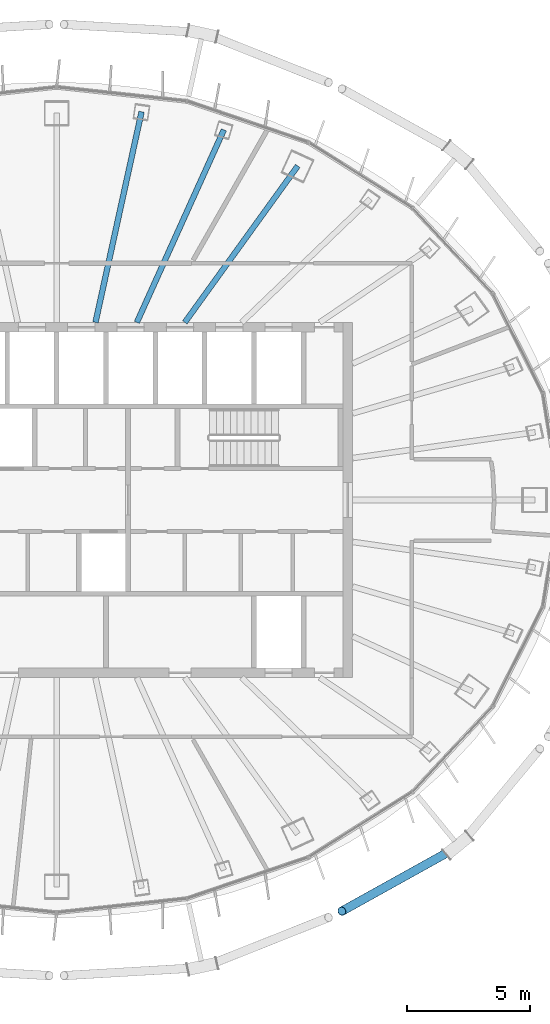
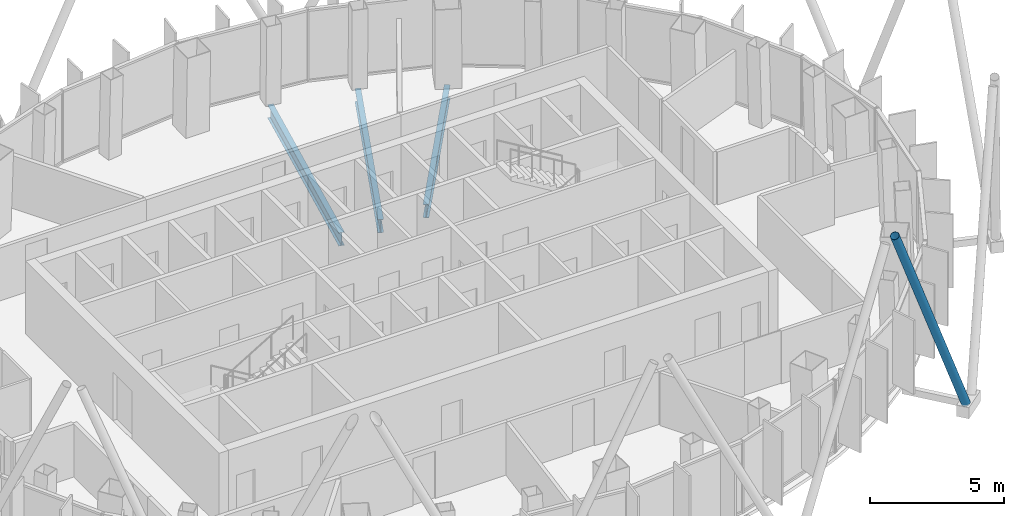
# One storey, part 5 of 18: 3 beams, 1 member.
"""IFC4 building model written with IfcOpenShell, lengths in metres."""

import ifcopenshell
import ifcopenshell.guid

model = None  # the IFC model being written
_history = None  # IfcOwnerHistory: only IFC2X3 demands one
_inside = {}  # id of a spatial element -> (the spatial element, [elements in it])
_under = {}  # id of a project, library or spatial element -> (it, [spatial elements below it])
_declared = {}  # id of a project -> (the project, [libraries it declares])
_typed = {}  # id of a type object -> (the type object, [elements of that type])
_made_of = {}  # id of a material, layer set ... -> (it, [elements and type objects made of it])


def new_model(schema):
    """Start an empty IFC model of exactly this schema.

    Asked for "IFC4X3", IfcOpenShell would pick the latest addendum, in which some entities
    have other attributes; the version numbers below select the first issue.
    IFC2X3 requires an IfcOwnerHistory on every rooted entity: one is made here for all.
    """
    global model, _history
    if schema == "IFC4X3":
        model = ifcopenshell.file(schema_version=(4, 3, 0, 0))
    else:
        model = ifcopenshell.file(schema=schema)
    _inside.clear()
    _under.clear()
    _declared.clear()
    _typed.clear()
    _made_of.clear()
    _history = None
    if model.schema == "IFC2X3":
        org = make("IfcOrganization", Name="unknown")
        user = make(
            "IfcPersonAndOrganization",
            ThePerson=make("IfcPerson", FamilyName="unknown"),
            TheOrganization=org,
        )
        app = make(
            "IfcApplication",
            ApplicationDeveloper=org,
            Version="unknown",
            ApplicationFullName="unknown",
            ApplicationIdentifier="unknown",
        )
        _history = make(
            "IfcOwnerHistory",
            OwningUser=user,
            OwningApplication=app,
            ChangeAction="ADDED",
            CreationDate=0,
        )
    return model


def make(cls, **values):
    """One entity of the class cls with the attributes given. An attribute that is None is left unset."""
    return model.create_entity(
        cls, **{name: value for name, value in values.items() if value is not None}
    )


def rooted(cls, **values):
    """An entity with a GlobalId (a new one), such as an element, a storey or a relation."""
    return make(cls, GlobalId=ifcopenshell.guid.new(), OwnerHistory=_history, **values)


def si_unit(unit_type, name, prefix=None):
    """IfcSIUnit, for example si_unit("LENGTHUNIT", "METRE", prefix="MILLI")."""
    return make("IfcSIUnit", UnitType=unit_type, Prefix=prefix, Name=name)


def assignment(units):
    """IfcUnitAssignment: the units of a project."""
    return None if units is None else make("IfcUnitAssignment", Units=units)


def point(xyz):
    """IfcCartesianPoint."""
    return None if xyz is None else make("IfcCartesianPoint", Coordinates=xyz)


def direction(xyz):
    """IfcDirection."""
    return None if xyz is None else make("IfcDirection", DirectionRatios=xyz)


def frame(location, z_axis=None, x_axis=None):
    """IfcAxis2Placement3D, a coordinate frame: its origin and axes. An axis left out is left unset."""
    return make(
        "IfcAxis2Placement3D",
        Location=point(location),
        Axis=direction(z_axis),
        RefDirection=direction(x_axis),
    )


def frame_2d(location, x_axis=None):
    """IfcAxis2Placement2D, a coordinate frame in the plane: its origin and x axis."""
    return make(
        "IfcAxis2Placement2D", Location=point(location), RefDirection=direction(x_axis)
    )


def origin():
    """The frame at (0, 0, 0) with its axes left unset."""
    return frame((0.0, 0.0, 0.0))


def origin_2d():
    """The frame at (0, 0) in the plane with its x axis left unset."""
    return frame_2d((0.0, 0.0))


def place(relative_to, where):
    """IfcLocalPlacement: puts the frame where relative to a parent placement (None: the world)."""
    return make(
        "IfcLocalPlacement", PlacementRelTo=relative_to, RelativePlacement=where
    )


def context(
    kind, dimensions, precision=None, world=None, true_north=None, identifier=None
):
    """IfcGeometricRepresentationContext, for example the 3D "Model" context."""
    return make(
        "IfcGeometricRepresentationContext",
        ContextIdentifier=identifier,
        ContextType=kind,
        CoordinateSpaceDimension=dimensions,
        Precision=precision,
        WorldCoordinateSystem=world,
        TrueNorth=true_north,
    )


def subcontext(parent, identifier, kind, view, scale=None):
    """IfcGeometricRepresentationSubContext, for example "Body" below "Model"."""
    return make(
        "IfcGeometricRepresentationSubContext",
        ContextIdentifier=identifier,
        ContextType=kind,
        ParentContext=parent,
        TargetScale=scale,
        TargetView=view,
    )


def project(units=None, contexts=None):
    """IfcProject with its units and contexts."""
    return rooted(
        "IfcProject",
        Name="project",
        RepresentationContexts=contexts,
        UnitsInContext=assignment(units),
    )


def spatial(cls, under=None, at=None, **own):
    """A site, building, storey or space (cls), placed at a placement, below another one or the project."""
    s = rooted(cls, ObjectPlacement=at, **own)
    if under is not None:
        _under.setdefault(under.id(), (under, []))[1].append(s)
    return s


def profile(cls, at=None, kind="AREA", **sizes):
    """A parametric profile (cls). Its sizes go by their IFC names, for example OverallWidth=200.0."""
    return make(cls, ProfileType=kind, Position=at, **sizes)


def hollow_circle(**sizes):
    """IfcCircleHollowProfileDef."""
    return profile("IfcCircleHollowProfileDef", **sizes)


def i_section(**sizes):
    """IfcIShapeProfileDef."""
    return profile("IfcIShapeProfileDef", **sizes)


def extrude(swept, where, along, depth):
    """IfcExtrudedAreaSolid: the profile swept, set in the frame where, extruded along a direction by depth."""
    return make(
        "IfcExtrudedAreaSolid",
        SweptArea=swept,
        Position=where,
        ExtrudedDirection=direction(along),
        Depth=depth,
    )


def shape(context_of_items, identifier, shape_type, items):
    """IfcShapeRepresentation: the items that make up one representation, for example the "Body"."""
    return make(
        "IfcShapeRepresentation",
        ContextOfItems=context_of_items,
        RepresentationIdentifier=identifier,
        RepresentationType=shape_type,
        Items=items,
    )


def material(Name=None, Category=None):
    """IfcMaterial."""
    return make("IfcMaterial", Name=Name, Category=Category)


def material_profile(
    of_material, cross_section, Name=None, Category=None, Priority=None
):
    """IfcMaterialProfile: a cross section and its material."""
    return make(
        "IfcMaterialProfile",
        Name=Name,
        Material=of_material,
        Profile=cross_section,
        Priority=Priority,
        Category=Category,
    )


def profile_set(profiles, Name=None, composite=None):
    """IfcMaterialProfileSet."""
    return make(
        "IfcMaterialProfileSet",
        Name=Name,
        MaterialProfiles=profiles,
        CompositeProfile=composite,
    )


def made_of(thing, what):
    """Note that an element or type object is made of a material, layer set ...; save() writes the relation."""
    if what is not None:
        _made_of.setdefault(what.id(), (what, []))[1].append(thing)
    return thing


def type_object(cls, material=None, **own):
    """A type object (cls), such as IfcWallType, which elements share."""
    return made_of(rooted(cls, **own), material)


def element(
    cls,
    number,
    at=None,
    inside=None,
    cuts=None,
    type_object=None,
    material=None,
    context=None,
    identifier="Body",
    shape_type=None,
    held_by="IfcProductDefinitionShape",
    body=None,
    shapes=None,
    **own,
):
    """One element of the class cls, such as IfcWall. Its Tag is "e" and its number.

    at: its placement. inside: the storey or other place that contains it. cuts: it is an
    opening in that element (IfcRelVoidsElement). A single representation is given by context,
    identifier, shape_type and body (its items); several are given by shapes. held_by: the class
    of the entity that holds the representations. save() writes the other relations.
    """
    e = rooted(cls, Tag="e%d" % number, ObjectPlacement=at, **own)
    if body is not None:
        shapes = [shape(context, identifier, shape_type, body)]
    if shapes is not None:
        e.Representation = make(held_by, Representations=shapes)
    if inside is not None:
        _inside.setdefault(inside.id(), (inside, []))[1].append(e)
    if cuts is not None:
        rooted(
            "IfcRelVoidsElement", RelatingBuildingElement=cuts, RelatedOpeningElement=e
        )
    if type_object is not None:
        _typed.setdefault(type_object.id(), (type_object, []))[1].append(e)
    return made_of(e, material)


def aggregate(whole, parts):
    """IfcRelAggregates: a whole, such as a stair, and the parts it consists of."""
    return rooted("IfcRelAggregates", RelatingObject=whole, RelatedObjects=parts)


def save(model, path):
    """Write the relations noted so far, then the file.

    IfcRelAggregates (storeys below a building ...), IfcRelContainedInSpatialStructure (elements
    in a storey), IfcRelDefinesByType, IfcRelAssociatesMaterial and IfcRelDeclares: one each for
    every whole, place, type object, material and project.
    """
    for whole, parts in _under.values():
        aggregate(whole, parts)
    for where, things in _inside.values():
        rooted(
            "IfcRelContainedInSpatialStructure",
            RelatedElements=things,
            RelatingStructure=where,
        )
    for kind, things in _typed.values():
        rooted("IfcRelDefinesByType", RelatedObjects=things, RelatingType=kind)
    for what, things in _made_of.values():
        rooted("IfcRelAssociatesMaterial", RelatedObjects=things, RelatingMaterial=what)
    for by, libraries in _declared.values():
        rooted("IfcRelDeclares", RelatingContext=by, RelatedDefinitions=libraries)
    model.write(path)


model = new_model("IFC4")

# Units and contexts
model_context = context("Model", 3, precision=1e-05, world=origin(), true_north=direction((0.0, 1.0)))
body_context = subcontext(model_context, "Body", "Model", "MODEL_VIEW")
ifc_project = project(units=[si_unit("LENGTHUNIT", "METRE"), si_unit("AREAUNIT", "SQUARE_METRE"), si_unit("VOLUMEUNIT", "CUBIC_METRE"), si_unit("PLANEANGLEUNIT", "RADIAN"), si_unit("MASSUNIT", "GRAM", prefix="KILO")], contexts=[model_context])

# Site, building, storey
site_placement = place(None, origin())
site = spatial("IfcSite", under=ifc_project, at=site_placement, CompositionType="ELEMENT")
building_placement = place(site_placement, origin())
building = spatial("IfcBuilding", under=site, at=building_placement, Name="Siaravel Broadcast Tower", CompositionType="ELEMENT")
storey_placement = place(building_placement, frame((0.0, 0.0, 261.5)))
storey = spatial("IfcBuildingStorey", under=building, at=storey_placement, Name="L64", CompositionType="ELEMENT", Elevation=261.5)

# Beams
ifc_material_1 = material(Name="Steel S355", Category="steel")
ifc_material_profile_1 = material_profile(ifc_material_1, i_section(OverallWidth=0.2275390625, OverallDepth=0.6025390625, WebThickness=0.010498046875, FlangeThickness=0.014892578125, FilletRadius=0.0126953125, at=origin_2d()))
ifc_profile_set_1 = profile_set([ifc_material_profile_1], Name="Steel S355")
beam_type = type_object("IfcBeamType", Name="BM-UB 610x229x101", PredefinedType="BEAM", material=ifc_profile_set_1)
beam_1_placement = place(storey_placement, frame((9.775390625, 13.541748046875, -0.451416015625), z_axis=(-0.585296794, -0.810819131, 0.0), x_axis=(0.810819131, -0.585296794, 0.0)))
element("IfcBeam", 1, at=beam_1_placement, inside=storey, type_object=beam_type, Name="Radial beam RB07", PredefinedType="BEAM", context=body_context, shape_type="SweptSolid", body=[
    extrude(i_section(OverallWidth=0.2275390625, OverallDepth=0.6025390625, WebThickness=0.010498046875, FlangeThickness=0.014892578125, FilletRadius=0.0126953125, at=origin_2d()), origin(), (0.0, 0.0, 1.0), 7.821533203125),
])
beam_2_placement = place(storey_placement, frame((6.780029296875, 15.006103515625, -0.451416015625), z_axis=(-0.411731811, -0.911305062, 0.0), x_axis=(0.911305062, -0.411731811, 0.0)))
element("IfcBeam", 2, at=beam_2_placement, inside=storey, type_object=beam_type, Name="Radial beam RB08", PredefinedType="BEAM", context=body_context, shape_type="SweptSolid", body=[
    extrude(i_section(OverallWidth=0.2275390625, OverallDepth=0.6025390625, WebThickness=0.010498046875, FlangeThickness=0.014892578125, FilletRadius=0.0126953125, at=origin_2d()), origin(), (0.0, 0.0, 1.0), 8.56591796875),
])
beam_3_placement = place(storey_placement, frame((3.444091796875, 15.738037109375, -0.451416015625), z_axis=(-0.213773519, -0.976883249, 0.0), x_axis=(0.976883249, -0.213773519, 0.0)))
element("IfcBeam", 3, at=beam_3_placement, inside=storey, type_object=beam_type, Name="Radial beam RB09", PredefinedType="BEAM", context=body_context, shape_type="SweptSolid", body=[
    extrude(i_section(OverallWidth=0.2275390625, OverallDepth=0.6025390625, WebThickness=0.010498046875, FlangeThickness=0.014892578125, FilletRadius=0.0126953125, at=origin_2d()), origin(), (0.0, 0.0, 1.0), 8.740234375),
])

# Member
ifc_material_2 = material(Name="Steel S460", Category="steel")
ifc_material_profile_2 = material_profile(ifc_material_2, hollow_circle(Radius=0.177734375, WallThickness=0.012451171875, at=origin_2d()))
ifc_profile_set_2 = profile_set([ifc_material_profile_2], Name="Steel S460")
member_type = type_object("IfcMemberType", Name="Diagrid diagonal CHS 355.6x12.5", PredefinedType="BRACE", material=ifc_profile_set_2)
member_placement = place(storey_placement, frame((16.04443359375, -14.1787109375, 0.02001953125), z_axis=(-0.379036862, -0.210527879, 0.901115458), x_axis=(0.485558059, -0.874204422, 0.0)))
element("IfcMember", 4, at=member_placement, inside=storey, type_object=member_type, Name="Diagrid diagonal R26 station 63C", PredefinedType="BRACE", context=body_context, shape_type="SweptSolid", body=[
    extrude(hollow_circle(Radius=0.177734375, WallThickness=0.012451171875, at=origin_2d()), origin(), (0.0, 0.0, 1.0), 11.82958984375),
])

save(model, "model.ifc")
